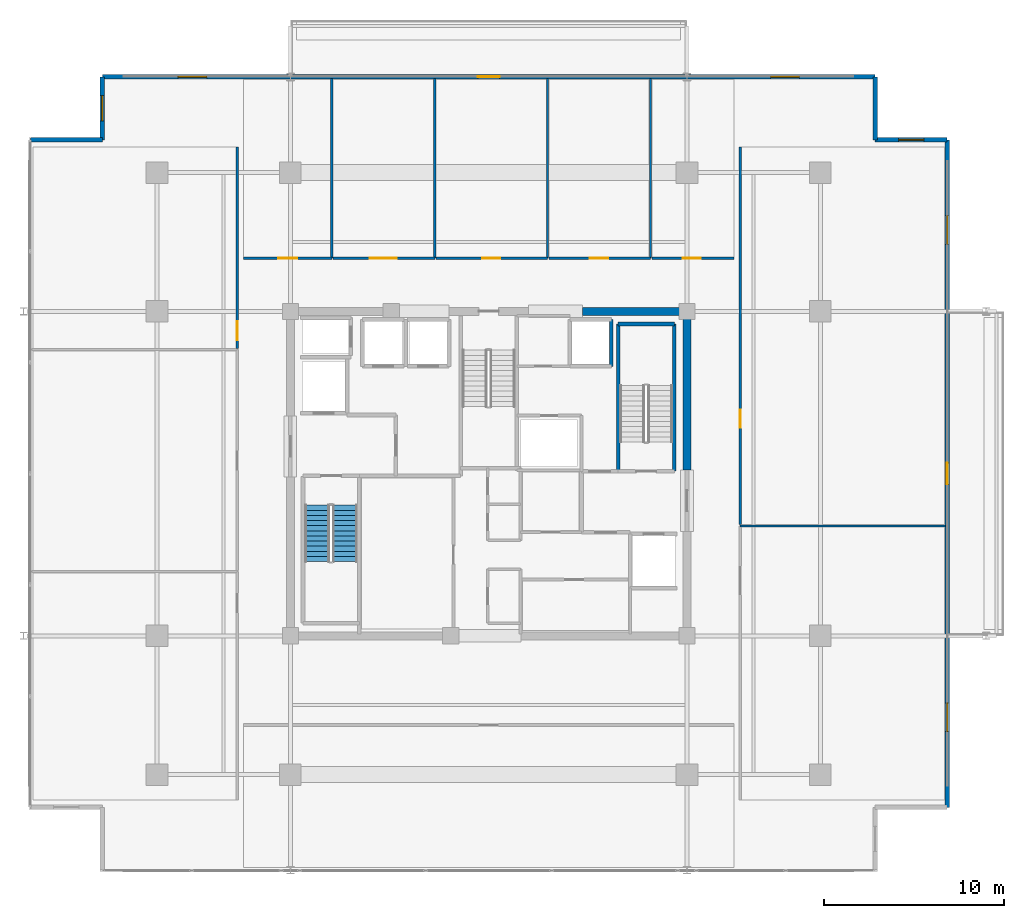
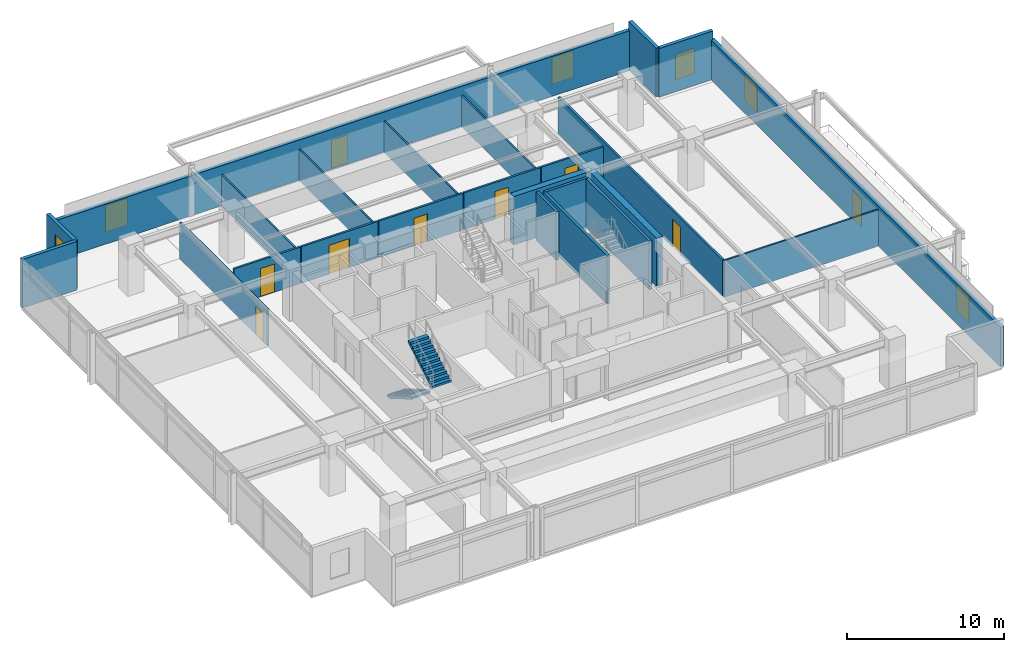
# One storey, part 15 of 20: 24 walls, 9 doors, 6 windows, 2 stair flights, 15 openings, 1 element without a shape of its own.
"""IFC4 building model written with IfcOpenShell, lengths in metres."""

from ifc_helpers import new_model, si_unit, direction, frame, frame_2d, origin, place, context, subcontext, project, spatial, polyline, rectangle, outline, extrude, material, layer, layer_set, type_object, element, fill, aggregate, save


model = new_model("IFC4")

# Units and contexts
model_context = context("Model", 3, precision=1e-05, world=origin(), true_north=direction((0.0, 1.0)))
body_context = subcontext(model_context, "Body", "Model", "MODEL_VIEW")
ifc_project = project(units=[si_unit("LENGTHUNIT", "METRE"), si_unit("AREAUNIT", "SQUARE_METRE"), si_unit("VOLUMEUNIT", "CUBIC_METRE"), si_unit("PLANEANGLEUNIT", "RADIAN"), si_unit("MASSUNIT", "GRAM", prefix="KILO")], contexts=[model_context])

# Site, building, storey
site_placement = place(None, origin())
site = spatial("IfcSite", under=ifc_project, at=site_placement, CompositionType="ELEMENT")
building_placement = place(site_placement, origin())
building = spatial("IfcBuilding", under=site, at=building_placement, Name="Kovane Verandah Tower", CompositionType="ELEMENT")
storey_placement = place(building_placement, frame((0.0, 0.0, 287.199951171875)))
storey = spatial("IfcBuildingStorey", under=building, at=storey_placement, Name="L67", CompositionType="ELEMENT", Elevation=287.199951171875)

# Wall, opening, door
ifc_material_1 = material(Name="Fire-Rated Gypsum Stud Partition", Category="gypsum")
ifc_layer_1 = layer(ifc_material_1, 0.14990234375)
ifc_layer_set_1 = layer_set([ifc_layer_1], Name="Fire-Rated Gypsum Stud Partition")
wall_type_1 = type_object("IfcWallType", Name="WL-COR-150", PredefinedType="PARTITIONING", material=ifc_layer_set_1)
wall_1_placement = place(storey_placement, frame((26.39990234375, 39.449951171875, 0.0), z_axis=(0.0, 0.0, 1.0), x_axis=(1.0, 0.0, 0.0)))
wall_1 = element("IfcWall", 1, at=wall_1_placement, inside=storey, type_object=wall_type_1, Name="L67 Executive Office N1 Corridor Partition", PredefinedType="PARTITIONING", context=body_context, shape_type="SweptSolid", body=[
    extrude(rectangle(XDim=4.89599609375, YDim=0.14990234375, at=frame_2d((2.447998046875, 0.0))), origin(), (0.0, 0.0, 1.0), 2.85009765625),
])
opening_1_placement = place(wall_1_placement, frame((1.93798828125, 0.0, 0.0)))
opening_1 = element("IfcOpeningElement", 2, at=opening_1_placement, cuts=wall_1, Name="Opening DR-L67-018", PredefinedType="OPENING", context=body_context, shape_type="SweptSolid", body=[
    extrude(rectangle(XDim=1.050048828125, YDim=2.199951171875, at=frame_2d((0.52490234375, 1.10009765625))), frame((0.0, 0.074951171875, 0.0), z_axis=(0.0, -1.0, 0.0), x_axis=(1.0, 0.0, 0.0)), (0.0, 0.0, 1.0), 0.14990234375),
])
ifc_material_2 = material(Name="FSC Blackbutt Timber Fire-Rated Executive Door", Category="wood")
door_type_1 = type_object("IfcDoorType", Name="DR-EXEC-1050", OperationType="SINGLE_SWING_LEFT", PredefinedType="DOOR", material=ifc_material_2)
door_1_placement = place(opening_1_placement, origin())
door_1 = element("IfcDoor", 3, at=door_1_placement, inside=storey, type_object=door_type_1, Name="L67 Executive Office N1 Entrance Door", OperationType="SINGLE_SWING_RIGHT", OverallHeight=2.199951171875, OverallWidth=1.050048828125, PredefinedType="DOOR", context=body_context, shape_type="SweptSolid", body=[
    extrude(rectangle(XDim=1.050048828125, YDim=2.199951171875, at=frame_2d((0.52490234375, 1.10009765625))), frame((0.0, 0.02490234375, 0.0), z_axis=(0.0, -1.0, 0.0), x_axis=(1.0, 0.0, 0.0)), (0.0, 0.0, 1.0), 0.050048828125),
])
fill(opening_1, door_1)

wall_2_placement = place(storey_placement, frame((31.365966796875, 39.449951171875, 0.0), z_axis=(0.0, 0.0, 1.0), x_axis=(1.0, 0.0, 0.0)))
wall_2 = element("IfcWall", 4, at=wall_2_placement, inside=storey, type_object=wall_type_1, Name="L67 Client Boardroom N2 Corridor Partition", PredefinedType="PARTITIONING", context=body_context, shape_type="SweptSolid", body=[
    extrude(rectangle(XDim=5.64208984375, YDim=0.14990234375, at=frame_2d((2.821044921875, 0.0))), origin(), (0.0, 0.0, 1.0), 2.85009765625),
])
opening_2_placement = place(wall_2_placement, frame((2.035888671875, 0.0, 0.0)))
opening_2 = element("IfcOpeningElement", 5, at=opening_2_placement, cuts=wall_2, Name="Opening DR-L67-019", PredefinedType="OPENING", context=body_context, shape_type="SweptSolid", body=[
    extrude(rectangle(XDim=1.5, YDim=2.25, at=frame_2d((0.75, 1.125))), frame((0.0, 0.074951171875, 0.0), z_axis=(0.0, -1.0, 0.0), x_axis=(1.0, 0.0, 0.0)), (0.0, 0.0, 1.0), 0.14990234375),
])
ifc_material_3 = material(Name="Glazed Timber Fire-Rated Double Door", Category="wood")
door_type_2 = type_object("IfcDoorType", Name="DR-CONF-1500", OperationType="DOUBLE_DOOR_SINGLE_SWING", PredefinedType="DOOR", material=ifc_material_3)
door_2_placement = place(opening_2_placement, origin())
door_2 = element("IfcDoor", 6, at=door_2_placement, inside=storey, type_object=door_type_2, Name="L67 Client Boardroom N2 Entrance Door", OperationType="DOUBLE_DOOR_SINGLE_SWING", OverallHeight=2.25, OverallWidth=1.5, PredefinedType="DOOR", context=body_context, shape_type="SweptSolid", body=[
    extrude(rectangle(XDim=1.5, YDim=2.25, at=frame_2d((0.75, 1.125))), frame((0.0, 0.02490234375, 0.0), z_axis=(0.0, -1.0, 0.0), x_axis=(1.0, 0.0, 0.0)), (0.0, 0.0, 1.0), 0.050048828125),
])
fill(opening_2, door_2)

wall_3_placement = place(storey_placement, frame((37.077880859375, 39.449951171875, 0.0), z_axis=(0.0, 0.0, 1.0), x_axis=(1.0, 0.0, 0.0)))
wall_3 = element("IfcWall", 7, at=wall_3_placement, inside=storey, type_object=wall_type_1, Name="L67 Meeting Room N3 Corridor Partition", PredefinedType="PARTITIONING", context=body_context, shape_type="SweptSolid", body=[
    extrude(rectangle(XDim=6.18603515625, YDim=0.14990234375, at=frame_2d((3.093017578125, 0.0))), origin(), (0.0, 0.0, 1.0), 2.85009765625),
])
opening_3_placement = place(wall_3_placement, frame((2.55810546875, 0.0, 0.0)))
opening_3 = element("IfcOpeningElement", 8, at=opening_3_placement, cuts=wall_3, Name="Opening DR-L67-020", PredefinedType="OPENING", context=body_context, shape_type="SweptSolid", body=[
    extrude(rectangle(XDim=1.0, YDim=2.14990234375, at=frame_2d((0.5, 1.074951171875))), frame((0.0, 0.074951171875, 0.0), z_axis=(0.0, -1.0, 0.0), x_axis=(1.0, 0.0, 0.0)), (0.0, 0.0, 1.0), 0.14990234375),
])
ifc_material_4 = material(Name="FSC Spotted-Gum Timber Fire-Rated Office Door", Category="wood")
door_type_3 = type_object("IfcDoorType", Name="DR-OFF-1000", OperationType="SINGLE_SWING_LEFT", PredefinedType="DOOR", material=ifc_material_4)
door_3_placement = place(opening_3_placement, origin())
door_3 = element("IfcDoor", 9, at=door_3_placement, inside=storey, type_object=door_type_3, Name="L67 Meeting Room N3 Entrance Door", OperationType="SINGLE_SWING_RIGHT", OverallHeight=2.14990234375, OverallWidth=1.0, PredefinedType="DOOR", context=body_context, shape_type="SweptSolid", body=[
    extrude(rectangle(XDim=1.0, YDim=2.14990234375, at=frame_2d((0.5, 1.074951171875))), frame((0.0, 0.02490234375, 0.0), z_axis=(0.0, -1.0, 0.0), x_axis=(1.0, 0.0, 0.0)), (0.0, 0.0, 1.0), 0.050048828125),
])
fill(opening_3, door_3)

wall_4_placement = place(storey_placement, frame((43.333984375, 39.449951171875, 0.0), z_axis=(0.0, 0.0, 1.0), x_axis=(1.0, 0.0, 0.0)))
wall_4 = element("IfcWall", 10, at=wall_4_placement, inside=storey, type_object=wall_type_1, Name="L67 Focus Studio N4 Corridor Partition", PredefinedType="PARTITIONING", context=body_context, shape_type="SweptSolid", body=[
    extrude(rectangle(XDim=5.64208984375, YDim=0.14990234375, at=frame_2d((2.821044921875, 0.0))), origin(), (0.0, 0.0, 1.0), 2.85009765625),
])
opening_4_placement = place(wall_4_placement, frame((2.285888671875, 0.0, 0.0)))
opening_4 = element("IfcOpeningElement", 11, at=opening_4_placement, cuts=wall_4, Name="Opening DR-L67-021", PredefinedType="OPENING", context=body_context, shape_type="SweptSolid", body=[
    extrude(rectangle(XDim=1.0, YDim=2.14990234375, at=frame_2d((0.5, 1.074951171875))), frame((0.0, 0.074951171875, 0.0), z_axis=(0.0, -1.0, 0.0), x_axis=(1.0, 0.0, 0.0)), (0.0, 0.0, 1.0), 0.14990234375),
])
door_4_placement = place(opening_4_placement, origin())
door_4 = element("IfcDoor", 12, at=door_4_placement, inside=storey, type_object=door_type_3, Name="L67 Focus Studio N4 Entrance Door", OperationType="SINGLE_SWING_LEFT", OverallHeight=2.14990234375, OverallWidth=1.0, PredefinedType="DOOR", context=body_context, shape_type="SweptSolid", body=[
    extrude(rectangle(XDim=1.0, YDim=2.14990234375, at=frame_2d((0.5, 1.074951171875))), frame((0.0, 0.02490234375, 0.0), z_axis=(0.0, -1.0, 0.0), x_axis=(1.0, 0.0, 0.0)), (0.0, 0.0, 1.0), 0.050048828125),
])
fill(opening_4, door_4)

wall_5_placement = place(storey_placement, frame((49.0458984375, 39.449951171875, 0.0), z_axis=(0.0, 0.0, 1.0), x_axis=(1.0, 0.0, 0.0)))
wall_5 = element("IfcWall", 13, at=wall_5_placement, inside=storey, type_object=wall_type_1, Name="L67 Breakout Pantry N5 Corridor Partition", PredefinedType="PARTITIONING", context=body_context, shape_type="SweptSolid", body=[
    extrude(rectangle(XDim=4.55419921875, YDim=0.14990234375, at=frame_2d((2.277099609375, 0.0))), origin(), (0.0, 0.0, 1.0), 2.85009765625),
])
opening_5_placement = place(wall_5_placement, frame((1.72705078125, 0.0, 0.0)))
opening_5 = element("IfcOpeningElement", 14, at=opening_5_placement, cuts=wall_5, Name="Opening DR-L67-022", PredefinedType="OPENING", context=body_context, shape_type="SweptSolid", body=[
    extrude(rectangle(XDim=1.0, YDim=2.14990234375, at=frame_2d((0.5, 1.074951171875))), frame((0.0, 0.074951171875, 0.0), z_axis=(0.0, -1.0, 0.0), x_axis=(1.0, 0.0, 0.0)), (0.0, 0.0, 1.0), 0.14990234375),
])
door_5_placement = place(opening_5_placement, origin())
door_5 = element("IfcDoor", 15, at=door_5_placement, inside=storey, type_object=door_type_3, Name="L67 Breakout Pantry N5 Entrance Door", OperationType="SINGLE_SWING_RIGHT", OverallHeight=2.14990234375, OverallWidth=1.0, PredefinedType="DOOR", context=body_context, shape_type="SweptSolid", body=[
    extrude(rectangle(XDim=1.0, YDim=2.14990234375, at=frame_2d((0.5, 1.074951171875))), frame((0.0, 0.02490234375, 0.0), z_axis=(0.0, -1.0, 0.0), x_axis=(1.0, 0.0, 0.0)), (0.0, 0.0, 1.0), 0.050048828125),
])
fill(opening_5, door_5)

wall_6_placement = place(storey_placement, frame((26.050048828125, 34.453369140625, 0.0), z_axis=(0.0, 0.0, 1.0), x_axis=(0.0, 1.0, 0.0)))
wall_6 = element("IfcWall", 16, at=wall_6_placement, inside=storey, type_object=wall_type_1, Name="L67 Executive Office W3 Corridor Partition", PredefinedType="PARTITIONING", context=body_context, shape_type="SweptSolid", body=[
    extrude(rectangle(XDim=11.160888671875, YDim=0.14990234375, at=frame_2d((5.58056640625, 0.0))), origin(), (0.0, 0.0, 1.0), 2.85009765625),
])
opening_6_placement = place(wall_6_placement, frame((0.4482421875, 0.0, 0.0)))
opening_6 = element("IfcOpeningElement", 17, at=opening_6_placement, cuts=wall_6, Name="Opening DR-L67-029", PredefinedType="OPENING", context=body_context, shape_type="SweptSolid", body=[
    extrude(rectangle(XDim=1.050048828125, YDim=2.199951171875, at=frame_2d((0.52490234375, 1.10009765625))), frame((0.0, 0.074951171875, 0.0), z_axis=(0.0, -1.0, 0.0), x_axis=(1.0, 0.0, 0.0)), (0.0, 0.0, 1.0), 0.14990234375),
])
door_6_placement = place(opening_6_placement, origin())
door_6 = element("IfcDoor", 18, at=door_6_placement, inside=storey, type_object=door_type_1, Name="L67 Executive Office W3 Entrance Door", OperationType="SINGLE_SWING_RIGHT", OverallHeight=2.199951171875, OverallWidth=1.050048828125, PredefinedType="DOOR", context=body_context, shape_type="SweptSolid", body=[
    extrude(rectangle(XDim=1.050048828125, YDim=2.199951171875, at=frame_2d((0.52490234375, 1.10009765625))), frame((0.0, 0.02490234375, 0.0), z_axis=(0.0, -1.0, 0.0), x_axis=(1.0, 0.0, 0.0)), (0.0, 0.0, 1.0), 0.050048828125),
])
fill(opening_6, door_6)

wall_7_placement = place(storey_placement, frame((53.949951171875, 24.671630859375, 0.0), z_axis=(0.0, 0.0, 1.0), x_axis=(0.0, 1.0, 0.0)))
wall_7 = element("IfcWall", 19, at=wall_7_placement, inside=storey, type_object=wall_type_1, Name="L67 Meeting Room E2 Corridor Partition", PredefinedType="PARTITIONING", context=body_context, shape_type="SweptSolid", body=[
    extrude(rectangle(XDim=20.942626953125, YDim=0.14990234375, at=frame_2d((10.47119140625, 0.0))), origin(), (0.0, 0.0, 1.0), 2.85009765625),
])
opening_7_placement = place(wall_7_placement, frame((5.364013671875, 0.0, 0.0)))
opening_7 = element("IfcOpeningElement", 20, at=opening_7_placement, cuts=wall_7, Name="Opening DR-L67-012", PredefinedType="OPENING", context=body_context, shape_type="SweptSolid", body=[
    extrude(rectangle(XDim=1.0, YDim=2.14990234375, at=frame_2d((0.5, 1.074951171875))), frame((0.0, 0.074951171875, 0.0), z_axis=(0.0, -1.0, 0.0), x_axis=(1.0, 0.0, 0.0)), (0.0, 0.0, 1.0), 0.14990234375),
])
door_7_placement = place(opening_7_placement, origin())
door_7 = element("IfcDoor", 21, at=door_7_placement, inside=storey, type_object=door_type_3, Name="L67 Meeting Room E2 Entrance Door", OperationType="SINGLE_SWING_RIGHT", OverallHeight=2.14990234375, OverallWidth=1.0, PredefinedType="DOOR", context=body_context, shape_type="SweptSolid", body=[
    extrude(rectangle(XDim=1.0, YDim=2.14990234375, at=frame_2d((0.5, 1.074951171875))), frame((0.0, 0.02490234375, 0.0), z_axis=(0.0, -1.0, 0.0), x_axis=(1.0, 0.0, 0.0)), (0.0, 0.0, 1.0), 0.050048828125),
])
fill(opening_7, door_7)

# Walls
ifc_material_5 = material(Name="Concrete C60/75", Category="concrete")
ifc_layer_2 = layer(ifc_material_5, 0.449951171875)
ifc_layer_set_2 = layer_set([ifc_layer_2], Name="Concrete C60/75")
wall_type_2 = type_object("IfcWallType", Name="WL-CORE-450", PredefinedType="SHEAR", material=ifc_layer_set_2)
wall_8_placement = place(storey_placement, frame((45.199951171875, 36.5, 0.0), z_axis=(0.0, 0.0, 1.0), x_axis=(1.0, 0.0, 0.0)))
element("IfcWall", 22, at=wall_8_placement, inside=storey, type_object=wall_type_2, Name="L67 Core Shear Wall CN-3", PredefinedType="SHEAR", context=body_context, shape_type="SweptSolid", body=[
    extrude(rectangle(XDim=5.800048828125, YDim=0.449951171875, at=frame_2d((2.89990234375, 0.0))), origin(), (0.0, 0.0, 1.0), 3.78515625),
])
wall_9_placement = place(storey_placement, frame((51.0, 27.699951171875, 0.0), z_axis=(0.0, 0.0, 1.0), x_axis=(0.0, 1.0, 0.0)))
element("IfcWall", 23, at=wall_9_placement, inside=storey, type_object=wall_type_2, Name="L67 Core Shear Wall CE-2", PredefinedType="SHEAR", context=body_context, shape_type="SweptSolid", body=[
    extrude(rectangle(XDim=8.800048828125, YDim=0.449951171875, at=frame_2d((4.39990234375, 0.0))), origin(), (0.0, 0.0, 1.0), 3.78515625),
])
ifc_material_6 = material(Name="Concrete C45/55 Lift Shaft Wall", Category="concrete")
ifc_layer_3 = layer(ifc_material_6, 0.199951171875)
ifc_layer_set_3 = layer_set([ifc_layer_3], Name="Concrete C45/55 Lift Shaft Wall")
wall_type_3 = type_object("IfcWallType", Name="WL-LIFT-200", PredefinedType="SOLIDWALL", material=ifc_layer_set_3)
wall_10_placement = place(storey_placement, frame((46.800048828125, 33.449951171875, 0.0), z_axis=(0.0, 0.0, 1.0), x_axis=(0.0, 1.0, 0.0)))
element("IfcWall", 24, at=wall_10_placement, inside=storey, type_object=wall_type_3, Name="L67 Lift OL-01 E Shaft Wall", PredefinedType="SOLIDWALL", context=body_context, shape_type="SweptSolid", body=[
    extrude(rectangle(XDim=2.60009765625, YDim=0.199951171875, at=frame_2d((1.300048828125, 0.0))), origin(), (0.0, 0.0, 1.0), 3.78515625),
])
ifc_material_7 = material(Name="Acoustic Fire-Rated Gypsum Partition", Category="gypsum")
ifc_layer_4 = layer(ifc_material_7, 0.1201171875)
ifc_layer_set_4 = layer_set([ifc_layer_4], Name="Acoustic Fire-Rated Gypsum Partition")
wall_type_4 = type_object("IfcWallType", Name="WL-PART-120", PredefinedType="PARTITIONING", material=ifc_layer_set_4)
for number, where, z_axis, x_axis, name in (
    (25, (31.2958984375, 39.449951171875, 0.0), (0.0, 0.0, 1.0), (0.0, 1.0, 0.0), "L67 Executive Office N1 Dividing Partition"),
    (26, (37.008056640625, 39.449951171875, 0.0), (0.0, 0.0, 1.0), (0.0, 1.0, 0.0), "L67 Client Boardroom N2 Dividing Partition"),
    (27, (43.263916015625, 39.449951171875, 0.0), (0.0, 0.0, 1.0), (0.0, 1.0, 0.0), "L67 Meeting Room N3 Dividing Partition"),
    (28, (48.97607421875, 39.449951171875, 0.0), (0.0, 0.0, 1.0), (0.0, 1.0, 0.0), "L67 Focus Studio N4 Dividing Partition"),
):
    element("IfcWall", number, at=place(storey_placement, frame(where, z_axis=z_axis, x_axis=x_axis)), inside=storey, type_object=wall_type_4, Name=name, PredefinedType="PARTITIONING", context=body_context, shape_type="SweptSolid", body=[
        extrude(rectangle(XDim=9.96435546875, YDim=0.1201171875, at=frame_2d((4.982177734375, 0.0))), origin(), (0.0, 0.0, 1.0), 2.4150390625),
    ])
wall_11_placement = place(storey_placement, frame((53.949951171875, 24.601806640625, 0.0), z_axis=(0.0, 0.0, 1.0), x_axis=(1.0, 0.0, 0.0)))
element("IfcWall", 29, at=wall_11_placement, inside=storey, type_object=wall_type_4, Name="L67 Client Boardroom E1 Dividing Partition", PredefinedType="PARTITIONING", context=body_context, shape_type="SweptSolid", body=[
    extrude(rectangle(XDim=11.387451171875, YDim=0.1201171875, at=frame_2d((5.69384765625, 0.0))), origin(), (0.0, 0.0, 1.0), 2.85009765625),
])
ifc_material_8 = material(Name="Concrete C45/55", Category="concrete")
ifc_layer_5 = layer(ifc_material_8, 0.199951171875)
ifc_layer_set_5 = layer_set([ifc_layer_5], Name="Concrete C45/55")
wall_type_5 = type_object("IfcWallType", Name="WL-SHAFT-200", PredefinedType="SOLIDWALL", material=ifc_layer_set_5)
wall_12_placement = place(storey_placement, frame((50.300048828125, 27.64990234375, 0.0), z_axis=(0.0, 0.0, 1.0), x_axis=(0.0, 1.0, 0.0)))
element("IfcWall", 30, at=wall_12_placement, inside=storey, type_object=wall_type_5, Name="W-L67-ST02-E", PredefinedType="SOLIDWALL", context=body_context, shape_type="SweptSolid", body=[
    extrude(rectangle(XDim=8.150146484375, YDim=0.199951171875, at=frame_2d((4.0751953125, 0.0))), origin(), (0.0, 0.0, 1.0), 3.78515625),
])
wall_13_placement = place(storey_placement, frame((47.179931640625, 35.800048828125, 0.0), z_axis=(0.0, 0.0, 1.0), x_axis=(1.0, 0.0, 0.0)))
element("IfcWall", 31, at=wall_13_placement, inside=storey, type_object=wall_type_5, Name="W-L67-ST02-N", PredefinedType="SOLIDWALL", context=body_context, shape_type="SweptSolid", body=[
    extrude(rectangle(XDim=3.1201171875, YDim=0.199951171875, at=frame_2d((1.56005859375, 0.0))), origin(), (0.0, 0.0, 1.0), 3.78515625),
])
wall_14_placement = place(storey_placement, frame((47.179931640625, 27.6201171875, 0.0), z_axis=(0.0, 0.0, 1.0), x_axis=(0.0, 1.0, 0.0)))
element("IfcWall", 32, at=wall_14_placement, inside=storey, type_object=wall_type_5, Name="W-L67-ST02-W", PredefinedType="SOLIDWALL", context=body_context, shape_type="SweptSolid", body=[
    extrude(rectangle(XDim=8.179931640625, YDim=0.199951171875, at=frame_2d((4.08984375, 0.0))), origin(), (0.0, 0.0, 1.0), 3.78515625),
])

# Wall, openings, door, windows
ifc_material_9 = material(Name="Concrete C45/55 Insulated Spandrel Wall", Category="concrete")
ifc_layer_6 = layer(ifc_material_9, 0.260009765625)
ifc_layer_set_6 = layer_set([ifc_layer_6], Name="Concrete C45/55 Insulated Spandrel Wall")
wall_type_6 = type_object("IfcWallType", Name="WL-SPANDREL-260", PredefinedType="PARAPET", material=ifc_layer_set_6)
wall_15_placement = place(storey_placement, frame((65.4375, 8.985595703125, 0.0), z_axis=(0.0, 0.0, 1.0), x_axis=(0.0, 1.0, 0.0)))
wall_15 = element("IfcWall", 33, at=wall_15_placement, inside=storey, type_object=wall_type_6, Name="L67 E Verandah Access Facade Wall", PredefinedType="PARAPET", context=body_context, shape_type="SweptSolid", body=[
    extrude(rectangle(XDim=37.02880859375, YDim=0.260009765625, at=frame_2d((18.514404296875, 0.0))), origin(), (0.0, 0.0, 1.0), 3.122802734375),
])
opening_8_placement = place(wall_15_placement, frame((4.199951171875, 0.0, 0.85009765625)))
opening_8 = element("IfcOpeningElement", 34, at=opening_8_placement, cuts=wall_15, Name="Opening W-02", PredefinedType="OPENING", context=body_context, shape_type="SweptSolid", body=[
    extrude(rectangle(XDim=1.60009765625, YDim=2.10009765625, at=frame_2d((0.800048828125, 1.050048828125))), frame((0.0, 0.1298828125, 0.0), z_axis=(0.0, -1.0, 0.0), x_axis=(1.0, 0.0, 0.0)), (0.0, 0.0, 1.0), 0.260009765625),
])
opening_9_placement = place(wall_15_placement, frame((17.914306640625, 0.0, 0.0)))
opening_9 = element("IfcOpeningElement", 35, at=opening_9_placement, cuts=wall_15, Name="Opening DR-L67-001", PredefinedType="OPENING", context=body_context, shape_type="SweptSolid", body=[
    extrude(rectangle(XDim=1.199951171875, YDim=2.199951171875, at=frame_2d((0.60009765625, 1.10009765625))), frame((0.0, 0.1298828125, 0.0), z_axis=(0.0, -1.0, 0.0), x_axis=(1.0, 0.0, 0.0)), (0.0, 0.0, 1.0), 0.260009765625),
])
opening_10_placement = place(wall_15_placement, frame((31.228515625, 0.0, 0.85009765625)))
opening_10 = element("IfcOpeningElement", 36, at=opening_10_placement, cuts=wall_15, Name="Opening W-02", PredefinedType="OPENING", context=body_context, shape_type="SweptSolid", body=[
    extrude(rectangle(XDim=1.60009765625, YDim=2.10009765625, at=frame_2d((0.800048828125, 1.050048828125))), frame((0.0, 0.1298828125, 0.0), z_axis=(0.0, -1.0, 0.0), x_axis=(1.0, 0.0, 0.0)), (0.0, 0.0, 1.0), 0.260009765625),
])
ifc_material_10 = material(Name="Cyclone-Rated Glazed Balcony Leaf Door", Category="aluminium")
door_type_4 = type_object("IfcDoorType", Name="DR-BAL-1200x2200", OperationType="SINGLE_SWING_LEFT", PredefinedType="DOOR", material=ifc_material_10)
door_8_placement = place(opening_9_placement, origin())
door_8 = element("IfcDoor", 37, at=door_8_placement, inside=storey, type_object=door_type_4, Name="L67 E Planted Balcony Access Door", OperationType="SINGLE_SWING_LEFT", OverallHeight=2.199951171875, OverallWidth=1.199951171875, PredefinedType="DOOR", context=body_context, shape_type="SweptSolid", body=[
    extrude(rectangle(XDim=1.199951171875, YDim=2.199951171875, at=frame_2d((0.60009765625, 1.10009765625))), frame((0.0, 0.02490234375, 0.0), z_axis=(0.0, -1.0, 0.0), x_axis=(1.0, 0.0, 0.0)), (0.0, 0.0, 1.0), 0.050048828125),
])
fill(opening_9, door_8)
ifc_material_11 = material(Name="Clear Low-E Laminated Double Glazing in Anodised Frame", Category="glass")
window_type_1 = type_object("IfcWindowType", Name="WN-OPER-1600x2100", PartitioningType="SINGLE_PANEL", PredefinedType="WINDOW", material=ifc_material_11)
window_1_placement = place(opening_8_placement, origin())
window_1 = element("IfcWindow", 38, at=window_1_placement, inside=storey, type_object=window_type_1, Name="L67 E Verandah View Window 1", OverallHeight=2.10009765625, OverallWidth=1.60009765625, PartitioningType="SINGLE_PANEL", PredefinedType="WINDOW", context=body_context, shape_type="SweptSolid", body=[
    extrude(rectangle(XDim=1.60009765625, YDim=2.10009765625, at=frame_2d((0.800048828125, 1.050048828125))), frame((0.0, 0.030029296875, 0.0), z_axis=(0.0, -1.0, 0.0), x_axis=(1.0, 0.0, 0.0)), (0.0, 0.0, 1.0), 0.06005859375),
])
fill(opening_8, window_1)
window_2_placement = place(opening_10_placement, origin())
window_2 = element("IfcWindow", 39, at=window_2_placement, inside=storey, type_object=window_type_1, Name="L67 E Verandah View Window 2", OverallHeight=2.10009765625, OverallWidth=1.60009765625, PartitioningType="SINGLE_PANEL", PredefinedType="WINDOW", context=body_context, shape_type="SweptSolid", body=[
    extrude(rectangle(XDim=1.60009765625, YDim=2.10009765625, at=frame_2d((0.800048828125, 1.050048828125))), frame((0.0, 0.030029296875, 0.0), z_axis=(0.0, -1.0, 0.0), x_axis=(1.0, 0.0, 0.0)), (0.0, 0.0, 1.0), 0.06005859375),
])
fill(opening_10, window_2)

wall_16_placement = place(storey_placement, frame((61.4375, 49.514404296875, 0.0), z_axis=(0.0, 0.0, 1.0), x_axis=(-1.0, 0.0, 0.0)))
wall_16 = element("IfcWall", 40, at=wall_16_placement, inside=storey, type_object=wall_type_6, Name="L67 N Verandah Access Facade Wall", PredefinedType="PARAPET", context=body_context, shape_type="SweptSolid", body=[
    extrude(rectangle(XDim=42.875, YDim=0.260009765625, at=frame_2d((21.4375, 0.0))), origin(), (0.0, 0.0, 1.0), 3.122802734375),
])
opening_11_placement = place(wall_16_placement, frame((4.199951171875, 0.0, 0.85009765625)))
opening_11 = element("IfcOpeningElement", 41, at=opening_11_placement, cuts=wall_16, Name="Opening W-02", PredefinedType="OPENING", context=body_context, shape_type="SweptSolid", body=[
    extrude(rectangle(XDim=1.60009765625, YDim=2.10009765625, at=frame_2d((0.800048828125, 1.050048828125))), frame((0.0, 0.1298828125, 0.0), z_axis=(0.0, -1.0, 0.0), x_axis=(1.0, 0.0, 0.0)), (0.0, 0.0, 1.0), 0.260009765625),
])
opening_12_placement = place(wall_16_placement, frame((20.83740234375, 0.0, 0.0)))
opening_12 = element("IfcOpeningElement", 42, at=opening_12_placement, cuts=wall_16, Name="Opening DR-L67-002", PredefinedType="OPENING", context=body_context, shape_type="SweptSolid", body=[
    extrude(rectangle(XDim=1.199951171875, YDim=2.199951171875, at=frame_2d((0.60009765625, 1.10009765625))), frame((0.0, 0.1298828125, 0.0), z_axis=(0.0, -1.0, 0.0), x_axis=(1.0, 0.0, 0.0)), (0.0, 0.0, 1.0), 0.260009765625),
])
opening_13_placement = place(wall_16_placement, frame((37.07470703125, 0.0, 0.85009765625)))
opening_13 = element("IfcOpeningElement", 43, at=opening_13_placement, cuts=wall_16, Name="Opening W-02", PredefinedType="OPENING", context=body_context, shape_type="SweptSolid", body=[
    extrude(rectangle(XDim=1.60009765625, YDim=2.10009765625, at=frame_2d((0.800048828125, 1.050048828125))), frame((0.0, 0.1298828125, 0.0), z_axis=(0.0, -1.0, 0.0), x_axis=(1.0, 0.0, 0.0)), (0.0, 0.0, 1.0), 0.260009765625),
])
door_9_placement = place(opening_12_placement, origin())
door_9 = element("IfcDoor", 44, at=door_9_placement, inside=storey, type_object=door_type_4, Name="L67 N Planted Balcony Access Door", OperationType="SINGLE_SWING_LEFT", OverallHeight=2.199951171875, OverallWidth=1.199951171875, PredefinedType="DOOR", context=body_context, shape_type="SweptSolid", body=[
    extrude(rectangle(XDim=1.199951171875, YDim=2.199951171875, at=frame_2d((0.60009765625, 1.10009765625))), frame((0.0, 0.02490234375, 0.0), z_axis=(0.0, -1.0, 0.0), x_axis=(1.0, 0.0, 0.0)), (0.0, 0.0, 1.0), 0.050048828125),
])
fill(opening_12, door_9)
window_3_placement = place(opening_11_placement, origin())
window_3 = element("IfcWindow", 45, at=window_3_placement, inside=storey, type_object=window_type_1, Name="L67 N Verandah View Window 1", OverallHeight=2.10009765625, OverallWidth=1.60009765625, PartitioningType="SINGLE_PANEL", PredefinedType="WINDOW", context=body_context, shape_type="SweptSolid", body=[
    extrude(rectangle(XDim=1.60009765625, YDim=2.10009765625, at=frame_2d((0.800048828125, 1.050048828125))), frame((0.0, 0.030029296875, 0.0), z_axis=(0.0, -1.0, 0.0), x_axis=(1.0, 0.0, 0.0)), (0.0, 0.0, 1.0), 0.06005859375),
])
fill(opening_11, window_3)
window_4_placement = place(opening_13_placement, origin())
window_4 = element("IfcWindow", 46, at=window_4_placement, inside=storey, type_object=window_type_1, Name="L67 N Verandah View Window 2", OverallHeight=2.10009765625, OverallWidth=1.60009765625, PartitioningType="SINGLE_PANEL", PredefinedType="WINDOW", context=body_context, shape_type="SweptSolid", body=[
    extrude(rectangle(XDim=1.60009765625, YDim=2.10009765625, at=frame_2d((0.800048828125, 1.050048828125))), frame((0.0, 0.030029296875, 0.0), z_axis=(0.0, -1.0, 0.0), x_axis=(1.0, 0.0, 0.0)), (0.0, 0.0, 1.0), 0.06005859375),
])
fill(opening_13, window_4)

# Wall, opening, window
wall_17_placement = place(storey_placement, frame((65.4375, 46.014404296875, 0.0), z_axis=(0.0, 0.0, 1.0), x_axis=(-1.0, 0.0, 0.0)))
wall_17 = element("IfcWall", 47, at=wall_17_placement, inside=storey, type_object=wall_type_6, Name="L67 NE Notch Cheek Wall 1", PredefinedType="PARAPET", context=body_context, shape_type="SweptSolid", body=[
    extrude(rectangle(XDim=4.0, YDim=0.260009765625, at=frame_2d((2.0, 0.0))), origin(), (0.0, 0.0, 1.0), 3.78515625),
])
opening_14_placement = place(wall_17_placement, frame((1.300048828125, 0.0, 0.85009765625)))
opening_14 = element("IfcOpeningElement", 48, at=opening_14_placement, cuts=wall_17, Name="Opening W-01", PredefinedType="OPENING", context=body_context, shape_type="SweptSolid", body=[
    extrude(rectangle(XDim=1.39990234375, YDim=2.0, at=frame_2d((0.699951171875, 1.0))), frame((0.0, 0.1298828125, 0.0), z_axis=(0.0, -1.0, 0.0), x_axis=(1.0, 0.0, 0.0)), (0.0, 0.0, 1.0), 0.260009765625),
])
window_type_2 = type_object("IfcWindowType", Name="WN-OPER-1400x2000", PartitioningType="SINGLE_PANEL", PredefinedType="WINDOW", material=ifc_material_11)
window_5_placement = place(opening_14_placement, origin())
window_5 = element("IfcWindow", 49, at=window_5_placement, inside=storey, type_object=window_type_2, Name="L67 NE Re-Entrant Corner Operable Window", OverallHeight=2.0, OverallWidth=1.39990234375, PartitioningType="SINGLE_PANEL", PredefinedType="WINDOW", context=body_context, shape_type="SweptSolid", body=[
    extrude(rectangle(XDim=1.39990234375, YDim=2.0, at=frame_2d((0.699951171875, 1.0))), frame((0.0, 0.030029296875, 0.0), z_axis=(0.0, -1.0, 0.0), x_axis=(1.0, 0.0, 0.0)), (0.0, 0.0, 1.0), 0.06005859375),
])
fill(opening_14, window_5)

# Wall
wall_18_placement = place(storey_placement, frame((61.4375, 46.014404296875, 0.0), z_axis=(0.0, 0.0, 1.0), x_axis=(0.0, 1.0, 0.0)))
element("IfcWall", 50, at=wall_18_placement, inside=storey, type_object=wall_type_6, Name="L67 NE Notch Cheek Wall 2", PredefinedType="PARAPET", context=body_context, shape_type="SweptSolid", body=[
    extrude(rectangle(XDim=3.5, YDim=0.260009765625, at=frame_2d((1.75, 0.0))), origin(), (0.0, 0.0, 1.0), 3.78515625),
])

# Wall, opening, window
wall_19_placement = place(storey_placement, frame((18.5625, 49.514404296875, 0.0), z_axis=(0.0, 0.0, 1.0), x_axis=(0.0, -1.0, 0.0)))
wall_19 = element("IfcWall", 51, at=wall_19_placement, inside=storey, type_object=wall_type_6, Name="L67 NW Notch Cheek Wall 1", PredefinedType="PARAPET", context=body_context, shape_type="SweptSolid", body=[
    extrude(rectangle(XDim=3.5, YDim=0.260009765625, at=frame_2d((1.75, 0.0))), origin(), (0.0, 0.0, 1.0), 3.78515625),
])
opening_15_placement = place(wall_19_placement, frame((1.050048828125, 0.0, 0.85009765625)))
opening_15 = element("IfcOpeningElement", 52, at=opening_15_placement, cuts=wall_19, Name="Opening W-01", PredefinedType="OPENING", context=body_context, shape_type="SweptSolid", body=[
    extrude(rectangle(XDim=1.39990234375, YDim=2.0, at=frame_2d((0.699951171875, 1.0))), frame((0.0, 0.1298828125, 0.0), z_axis=(0.0, -1.0, 0.0), x_axis=(1.0, 0.0, 0.0)), (0.0, 0.0, 1.0), 0.260009765625),
])
window_6_placement = place(opening_15_placement, origin())
window_6 = element("IfcWindow", 53, at=window_6_placement, inside=storey, type_object=window_type_2, Name="L67 NW Re-Entrant Corner Operable Window", OverallHeight=2.0, OverallWidth=1.39990234375, PartitioningType="SINGLE_PANEL", PredefinedType="WINDOW", context=body_context, shape_type="SweptSolid", body=[
    extrude(rectangle(XDim=1.39990234375, YDim=2.0, at=frame_2d((0.699951171875, 1.0))), frame((0.0, 0.030029296875, 0.0), z_axis=(0.0, -1.0, 0.0), x_axis=(1.0, 0.0, 0.0)), (0.0, 0.0, 1.0), 0.06005859375),
])
fill(opening_15, window_6)

# Wall
wall_20_placement = place(storey_placement, frame((18.5625, 46.014404296875, 0.0), z_axis=(0.0, 0.0, 1.0), x_axis=(-1.0, 0.0, 0.0)))
element("IfcWall", 54, at=wall_20_placement, inside=storey, type_object=wall_type_6, Name="L67 NW Notch Cheek Wall 2", PredefinedType="PARAPET", context=body_context, shape_type="SweptSolid", body=[
    extrude(rectangle(XDim=4.0, YDim=0.260009765625, at=frame_2d((2.0, 0.0))), origin(), (0.0, 0.0, 1.0), 3.78515625),
])

# Stair, stair flights
stair_type = type_object("IfcStairType", Name="ST-CORE-1380", PredefinedType="HALF_TURN_STAIR", material=ifc_material_8)
stair_placement = place(storey_placement, origin())
stair = element("IfcStair", 55, at=stair_placement, inside=storey, type_object=stair_type, Name="L67 Exit Stair ST-01", PredefinedType="HALF_TURN_STAIR")
stair_flight_type = type_object("IfcStairFlightType", Name="STF-CORE-1380", PredefinedType="STRAIGHT", material=ifc_material_8)
stair_flight_1_placement = place(storey_placement, frame((30.489990234375, 25.75, 0.0), z_axis=(0.0, 0.0, 1.0), x_axis=(0.0, -1.0, 0.0)))
stair_flight_1 = element("IfcStairFlight", 56, at=stair_flight_1_placement, type_object=stair_flight_type, Name="ST-01 flight 1", NumberOfRisers=12, NumberOfTreads=11, PredefinedType="STRAIGHT", RiserHeight=0.166666667, TreadLength=0.285, context=body_context, shape_type="SweptSolid", body=[
    extrude(outline(polyline([(0.0, 0.0), (0.0, 0.166748046875), (0.284912109375, 0.166748046875), (0.284912109375, 0.333251953125), (0.570068359375, 0.333251953125), (0.570068359375, 0.5), (0.85498046875, 0.5), (0.85498046875, 0.666748046875), (1.139892578125, 0.666748046875), (1.139892578125, 0.833251953125), (1.425048828125, 0.833251953125), (1.425048828125, 1.0), (1.7099609375, 1.0), (1.7099609375, 1.166748046875), (1.9951171875, 1.166748046875), (1.9951171875, 1.333251953125), (2.280029296875, 1.333251953125), (2.280029296875, 1.5), (2.56494140625, 1.5), (2.56494140625, 1.666748046875), (2.85009765625, 1.666748046875), (2.85009765625, 1.833251953125), (3.135009765625, 1.833251953125), (3.135009765625, 2.0), (3.135009765625, 1.65966796875), (0.296875, 0.0), (0.0, 0.0)])), frame((0.0, 0.68994140625, 0.0), z_axis=(0.0, -1.0, 0.0), x_axis=(1.0, 0.0, 0.0)), (0.0, 0.0, 1.0), 1.3798828125),
])
stair_flight_2_placement = place(storey_placement, frame((32.030029296875, 22.614990234375, 2.0), z_axis=(0.0, 0.0, 1.0), x_axis=(0.0, 1.0, 0.0)))
stair_flight_2 = element("IfcStairFlight", 57, at=stair_flight_2_placement, type_object=stair_flight_type, Name="ST-01 flight 2", NumberOfRisers=12, NumberOfTreads=11, PredefinedType="STRAIGHT", RiserHeight=0.166666667, TreadLength=0.285, context=body_context, shape_type="SweptSolid", body=[
    extrude(outline(polyline([(0.0, 0.0), (0.0, 0.166748046875), (0.284912109375, 0.166748046875), (0.284912109375, 0.333251953125), (0.570068359375, 0.333251953125), (0.570068359375, 0.5), (0.85498046875, 0.5), (0.85498046875, 0.666748046875), (1.139892578125, 0.666748046875), (1.139892578125, 0.833251953125), (1.425048828125, 0.833251953125), (1.425048828125, 1.0), (1.7099609375, 1.0), (1.7099609375, 1.166748046875), (1.9951171875, 1.166748046875), (1.9951171875, 1.333251953125), (2.280029296875, 1.333251953125), (2.280029296875, 1.5), (2.56494140625, 1.5), (2.56494140625, 1.666748046875), (2.85009765625, 1.666748046875), (2.85009765625, 1.833251953125), (3.135009765625, 1.833251953125), (3.135009765625, 2.0), (3.135009765625, 1.65966796875), (0.296875, 0.0), (0.0, 0.0)])), frame((0.0, 0.68994140625, 0.0), z_axis=(0.0, -1.0, 0.0), x_axis=(1.0, 0.0, 0.0)), (0.0, 0.0, 1.0), 1.3798828125),
])
aggregate(stair, [stair_flight_1, stair_flight_2])

save(model, "model.ifc")
